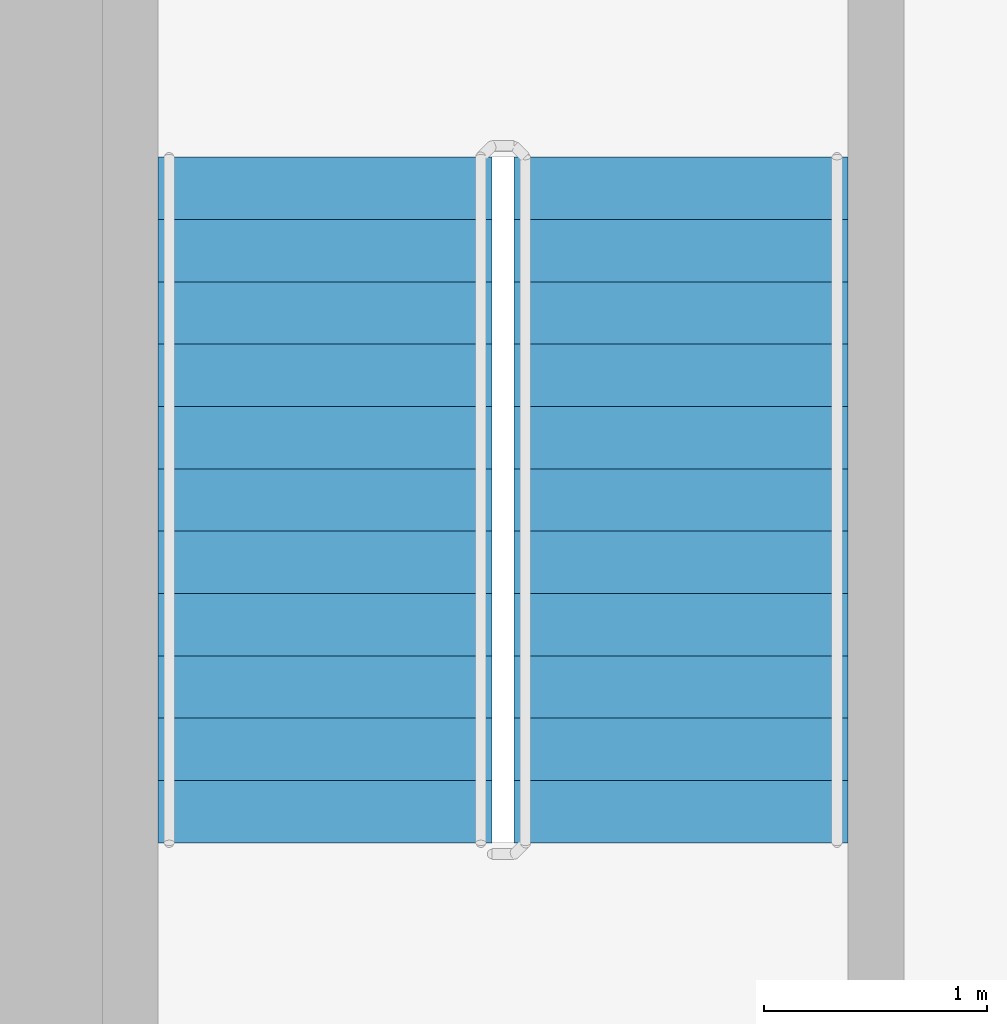
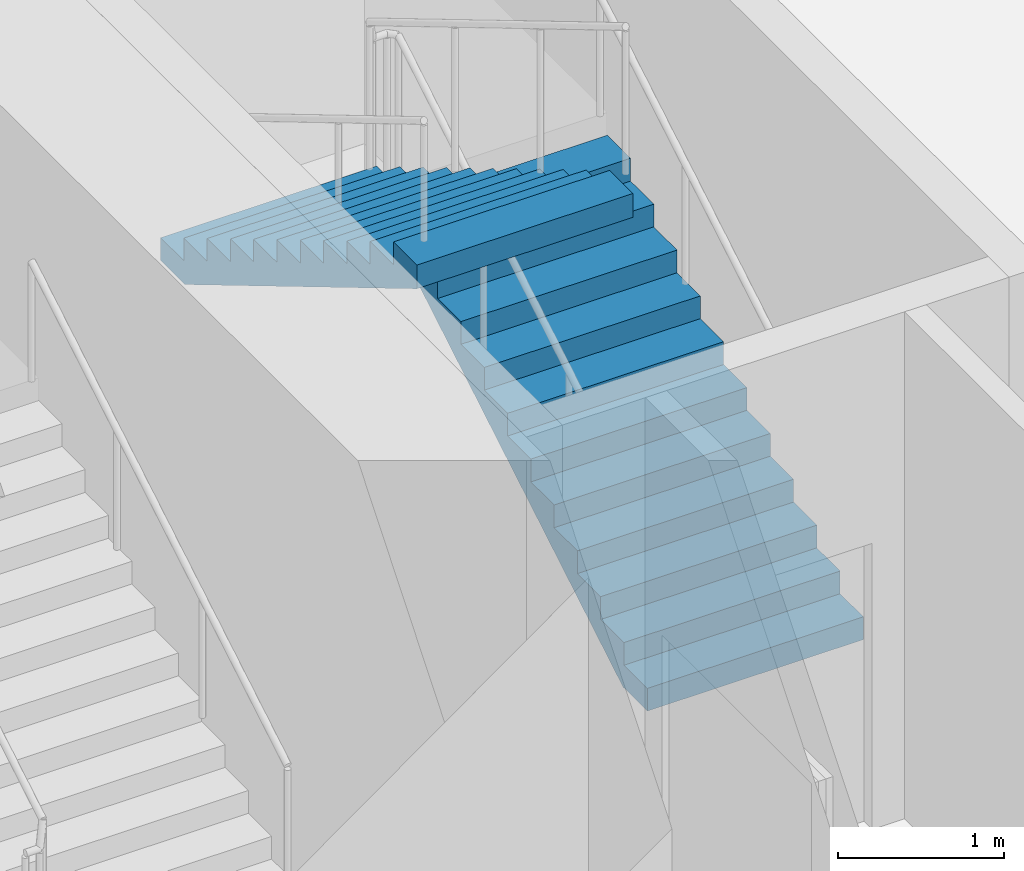
# One storey, part 16 of 25: 2 stair flights, 1 element without a shape of its own.
"""IFC4 building model written with IfcOpenShell, lengths in metres."""

from ifc_helpers import new_model, si_unit, direction, frame, origin, place, context, subcontext, project, spatial, triangles, source, transform, mapped, material, type_object, element, aggregate, save


model = new_model("IFC4")

# Units and contexts
model_context = context("Model", 3, precision=1e-05, world=origin(), true_north=direction((0.0, 1.0)))
body_context = subcontext(model_context, "Body", "Model", "MODEL_VIEW")
ifc_project = project(units=[si_unit("LENGTHUNIT", "METRE"), si_unit("AREAUNIT", "SQUARE_METRE"), si_unit("VOLUMEUNIT", "CUBIC_METRE"), si_unit("PLANEANGLEUNIT", "RADIAN"), si_unit("MASSUNIT", "GRAM", prefix="KILO")], contexts=[model_context])

# Site, building, storey
site_placement = place(None, origin())
site = spatial("IfcSite", under=ifc_project, at=site_placement, CompositionType="ELEMENT")
building_placement = place(site_placement, origin())
building = spatial("IfcBuilding", under=site, at=building_placement, Name="Kilnfold Tower and Market Hall", CompositionType="ELEMENT")
storey_placement = place(building_placement, frame((0.0, 0.0, 67.199951171875)))
storey = spatial("IfcBuildingStorey", under=building, at=storey_placement, Name="L15", CompositionType="ELEMENT", Elevation=67.199951171875)

# Stair, stair flights
ifc_material_1 = material(Name="Concrete C40/50", Category="concrete")
stair_type = type_object("IfcStairType", Name="CORE STAIR 1500", PredefinedType="HALF_TURN_STAIR", material=ifc_material_1)
stair_placement = place(storey_placement, origin())
stair = element("IfcStair", 1, at=stair_placement, inside=storey, type_object=stair_type, Name="L15 ST5", PredefinedType="HALF_TURN_STAIR")
ifc_material_2 = material(Name="Concrete C40/50", Category="concrete")
stair_flight_type = type_object("IfcStairFlightType", Name="CORE STAIR FLIGHT 1500", PredefinedType="STRAIGHT", material=ifc_material_2)
shared_shape = source(origin(), body_context, "Body", "Tessellation", [
    triangles([(0.0, 0.75, 0.0), (0.0, 0.65625, 0.0), (0.0, 0.5625, 0.0), (0.0, 0.46875, 0.0), (0.0, 0.375, 0.0), (0.0, 0.28125, 0.0), (0.0, 0.1875, 0.0), (0.0, 0.09375, 0.0), (0.0, 0.0, 0.0), (0.0, -0.09375, 0.0), (0.0, -0.1875, 0.0), (0.0, -0.28125, 0.0), (0.0, -0.375, 0.0), (0.0, -0.46875, 0.0), (0.0, -0.5625, 0.0), (0.0, -0.65625, 0.0), (0.0, -0.75, 0.0), (0.0, 0.75, 0.166748046875), (0.0, 0.65625, 0.166748046875), (0.0, 0.5625, 0.166748046875), (0.0, 0.46875, 0.166748046875), (0.0, 0.375, 0.166748046875), (0.0, 0.28125, 0.166748046875), (0.0, 0.1875, 0.166748046875), (0.0, 0.09375, 0.166748046875), (0.0, 0.0, 0.166748046875), (0.0, -0.09375, 0.166748046875), (0.0, -0.1875, 0.166748046875), (0.0, -0.28125, 0.166748046875), (0.0, -0.375, 0.166748046875), (0.0, -0.46875, 0.166748046875), (0.0, -0.5625, 0.166748046875), (0.0, -0.65625, 0.166748046875), (0.0, -0.75, 0.166748046875), (0.280029296875, 0.75, 0.166748046875), (0.280029296875, 0.65625, 0.166748046875), (0.280029296875, 0.5625, 0.166748046875), (0.280029296875, 0.46875, 0.166748046875), (0.280029296875, 0.375, 0.166748046875), (0.280029296875, 0.28125, 0.166748046875), (0.280029296875, 0.1875, 0.166748046875), (0.280029296875, 0.09375, 0.166748046875), (0.280029296875, 0.0, 0.166748046875), (0.280029296875, -0.09375, 0.166748046875), (0.280029296875, -0.1875, 0.166748046875), (0.280029296875, -0.28125, 0.166748046875), (0.280029296875, -0.375, 0.166748046875), (0.280029296875, -0.46875, 0.166748046875), (0.280029296875, -0.5625, 0.166748046875), (0.280029296875, -0.65625, 0.166748046875), (0.280029296875, -0.75, 0.166748046875), (0.280029296875, 0.75, 0.333251953125), (0.280029296875, 0.65625, 0.333251953125), (0.280029296875, 0.5625, 0.333251953125), (0.280029296875, 0.46875, 0.333251953125), (0.280029296875, 0.375, 0.333251953125), (0.280029296875, 0.28125, 0.333251953125), (0.280029296875, 0.1875, 0.333251953125), (0.280029296875, 0.09375, 0.333251953125), (0.280029296875, 0.0, 0.333251953125), (0.280029296875, -0.09375, 0.333251953125), (0.280029296875, -0.1875, 0.333251953125), (0.280029296875, -0.28125, 0.333251953125), (0.280029296875, -0.375, 0.333251953125), (0.280029296875, -0.46875, 0.333251953125), (0.280029296875, -0.5625, 0.333251953125), (0.280029296875, -0.65625, 0.333251953125), (0.280029296875, -0.75, 0.333251953125), (0.56005859375, 0.75, 0.333251953125), (0.56005859375, 0.65625, 0.333251953125), (0.56005859375, 0.5625, 0.333251953125), (0.56005859375, 0.46875, 0.333251953125), (0.56005859375, 0.375, 0.333251953125), (0.56005859375, 0.28125, 0.333251953125), (0.56005859375, 0.1875, 0.333251953125), (0.56005859375, 0.09375, 0.333251953125), (0.56005859375, 0.0, 0.333251953125), (0.56005859375, -0.09375, 0.333251953125), (0.56005859375, -0.1875, 0.333251953125), (0.56005859375, -0.28125, 0.333251953125), (0.56005859375, -0.375, 0.333251953125), (0.56005859375, -0.46875, 0.333251953125), (0.56005859375, -0.5625, 0.333251953125), (0.56005859375, -0.65625, 0.333251953125), (0.56005859375, -0.75, 0.333251953125), (0.56005859375, 0.75, 0.5), (0.56005859375, 0.65625, 0.5), (0.56005859375, 0.5625, 0.5), (0.56005859375, 0.46875, 0.5), (0.56005859375, 0.375, 0.5), (0.56005859375, 0.28125, 0.5), (0.56005859375, 0.1875, 0.5), (0.56005859375, 0.09375, 0.5), (0.56005859375, 0.0, 0.5), (0.56005859375, -0.09375, 0.5), (0.56005859375, -0.1875, 0.5), (0.56005859375, -0.28125, 0.5), (0.56005859375, -0.375, 0.5), (0.56005859375, -0.46875, 0.5), (0.56005859375, -0.5625, 0.5), (0.56005859375, -0.65625, 0.5), (0.56005859375, -0.75, 0.5), (0.840087890625, 0.75, 0.5), (0.840087890625, 0.65625, 0.5), (0.840087890625, 0.5625, 0.5), (0.840087890625, 0.46875, 0.5), (0.840087890625, 0.375, 0.5), (0.840087890625, 0.28125, 0.5), (0.840087890625, 0.1875, 0.5), (0.840087890625, 0.09375, 0.5), (0.840087890625, 0.0, 0.5), (0.840087890625, -0.09375, 0.5), (0.840087890625, -0.1875, 0.5), (0.840087890625, -0.28125, 0.5), (0.840087890625, -0.375, 0.5), (0.840087890625, -0.46875, 0.5), (0.840087890625, -0.5625, 0.5), (0.840087890625, -0.65625, 0.5), (0.840087890625, -0.75, 0.5), (0.840087890625, 0.75, 0.666748046875), (0.840087890625, 0.65625, 0.666748046875), (0.840087890625, 0.5625, 0.666748046875), (0.840087890625, 0.46875, 0.666748046875), (0.840087890625, 0.375, 0.666748046875), (0.840087890625, 0.28125, 0.666748046875), (0.840087890625, 0.1875, 0.666748046875), (0.840087890625, 0.09375, 0.666748046875), (0.840087890625, 0.0, 0.666748046875), (0.840087890625, -0.09375, 0.666748046875), (0.840087890625, -0.1875, 0.666748046875), (0.840087890625, -0.28125, 0.666748046875), (0.840087890625, -0.375, 0.666748046875), (0.840087890625, -0.46875, 0.666748046875), (0.840087890625, -0.5625, 0.666748046875), (0.840087890625, -0.65625, 0.666748046875), (0.840087890625, -0.75, 0.666748046875), (1.1201171875, 0.75, 0.666748046875), (1.1201171875, 0.65625, 0.666748046875), (1.1201171875, 0.5625, 0.666748046875), (1.1201171875, 0.46875, 0.666748046875), (1.1201171875, 0.375, 0.666748046875), (1.1201171875, 0.28125, 0.666748046875), (1.1201171875, 0.1875, 0.666748046875), (1.1201171875, 0.09375, 0.666748046875), (1.1201171875, 0.0, 0.666748046875), (1.1201171875, -0.09375, 0.666748046875), (1.1201171875, -0.1875, 0.666748046875), (1.1201171875, -0.28125, 0.666748046875), (1.1201171875, -0.375, 0.666748046875), (1.1201171875, -0.46875, 0.666748046875), (1.1201171875, -0.5625, 0.666748046875), (1.1201171875, -0.65625, 0.666748046875), (1.1201171875, -0.75, 0.666748046875), (1.1201171875, 0.75, 0.833251953125), (1.1201171875, 0.65625, 0.833251953125), (1.1201171875, 0.5625, 0.833251953125), (1.1201171875, 0.46875, 0.833251953125), (1.1201171875, 0.375, 0.833251953125), (1.1201171875, 0.28125, 0.833251953125), (1.1201171875, 0.1875, 0.833251953125), (1.1201171875, 0.09375, 0.833251953125), (1.1201171875, 0.0, 0.833251953125), (1.1201171875, -0.09375, 0.833251953125), (1.1201171875, -0.1875, 0.833251953125), (1.1201171875, -0.28125, 0.833251953125), (1.1201171875, -0.375, 0.833251953125), (1.1201171875, -0.46875, 0.833251953125), (1.1201171875, -0.5625, 0.833251953125), (1.1201171875, -0.65625, 0.833251953125), (1.1201171875, -0.75, 0.833251953125), (1.39990234375, 0.75, 0.833251953125), (1.39990234375, 0.65625, 0.833251953125), (1.39990234375, 0.5625, 0.833251953125), (1.39990234375, 0.46875, 0.833251953125), (1.39990234375, 0.375, 0.833251953125), (1.39990234375, 0.28125, 0.833251953125), (1.39990234375, 0.1875, 0.833251953125), (1.39990234375, 0.09375, 0.833251953125), (1.39990234375, 0.0, 0.833251953125), (1.39990234375, -0.09375, 0.833251953125), (1.39990234375, -0.1875, 0.833251953125), (1.39990234375, -0.28125, 0.833251953125), (1.39990234375, -0.375, 0.833251953125), (1.39990234375, -0.46875, 0.833251953125), (1.39990234375, -0.5625, 0.833251953125), (1.39990234375, -0.65625, 0.833251953125), (1.39990234375, -0.75, 0.833251953125), (1.39990234375, 0.75, 1.0), (1.39990234375, 0.65625, 1.0), (1.39990234375, 0.5625, 1.0), (1.39990234375, 0.46875, 1.0), (1.39990234375, 0.375, 1.0), (1.39990234375, 0.28125, 1.0), (1.39990234375, 0.1875, 1.0), (1.39990234375, 0.09375, 1.0), (1.39990234375, 0.0, 1.0), (1.39990234375, -0.09375, 1.0), (1.39990234375, -0.1875, 1.0), (1.39990234375, -0.28125, 1.0), (1.39990234375, -0.375, 1.0), (1.39990234375, -0.46875, 1.0), (1.39990234375, -0.5625, 1.0), (1.39990234375, -0.65625, 1.0), (1.39990234375, -0.75, 1.0), (1.679931640625, 0.75, 1.0), (1.679931640625, 0.65625, 1.0), (1.679931640625, 0.5625, 1.0), (1.679931640625, 0.46875, 1.0), (1.679931640625, 0.375, 1.0), (1.679931640625, 0.28125, 1.0), (1.679931640625, 0.1875, 1.0), (1.679931640625, 0.09375, 1.0), (1.679931640625, 0.0, 1.0), (1.679931640625, -0.09375, 1.0), (1.679931640625, -0.1875, 1.0), (1.679931640625, -0.28125, 1.0), (1.679931640625, -0.375, 1.0), (1.679931640625, -0.46875, 1.0), (1.679931640625, -0.5625, 1.0), (1.679931640625, -0.65625, 1.0), (1.679931640625, -0.75, 1.0), (1.679931640625, 0.75, 1.166748046875), (1.679931640625, 0.65625, 1.166748046875), (1.679931640625, 0.5625, 1.166748046875), (1.679931640625, 0.46875, 1.166748046875), (1.679931640625, 0.375, 1.166748046875), (1.679931640625, 0.28125, 1.166748046875), (1.679931640625, 0.1875, 1.166748046875), (1.679931640625, 0.09375, 1.166748046875), (1.679931640625, 0.0, 1.166748046875), (1.679931640625, -0.09375, 1.166748046875), (1.679931640625, -0.1875, 1.166748046875), (1.679931640625, -0.28125, 1.166748046875), (1.679931640625, -0.375, 1.166748046875), (1.679931640625, -0.46875, 1.166748046875), (1.679931640625, -0.5625, 1.166748046875), (1.679931640625, -0.65625, 1.166748046875), (1.679931640625, -0.75, 1.166748046875), (1.9599609375, 0.75, 1.166748046875), (1.9599609375, 0.65625, 1.166748046875), (1.9599609375, 0.5625, 1.166748046875), (1.9599609375, 0.46875, 1.166748046875), (1.9599609375, 0.375, 1.166748046875), (1.9599609375, 0.28125, 1.166748046875), (1.9599609375, 0.1875, 1.166748046875), (1.9599609375, 0.09375, 1.166748046875), (1.9599609375, 0.0, 1.166748046875), (1.9599609375, -0.09375, 1.166748046875), (1.9599609375, -0.1875, 1.166748046875), (1.9599609375, -0.28125, 1.166748046875), (1.9599609375, -0.375, 1.166748046875), (1.9599609375, -0.46875, 1.166748046875), (1.9599609375, -0.5625, 1.166748046875), (1.9599609375, -0.65625, 1.166748046875), (1.9599609375, -0.75, 1.166748046875), (1.9599609375, 0.75, 1.333251953125), (1.9599609375, 0.65625, 1.333251953125), (1.9599609375, 0.5625, 1.333251953125), (1.9599609375, 0.46875, 1.333251953125), (1.9599609375, 0.375, 1.333251953125), (1.9599609375, 0.28125, 1.333251953125), (1.9599609375, 0.1875, 1.333251953125), (1.9599609375, 0.09375, 1.333251953125), (1.9599609375, 0.0, 1.333251953125), (1.9599609375, -0.09375, 1.333251953125), (1.9599609375, -0.1875, 1.333251953125), (1.9599609375, -0.28125, 1.333251953125), (1.9599609375, -0.375, 1.333251953125), (1.9599609375, -0.46875, 1.333251953125), (1.9599609375, -0.5625, 1.333251953125), (1.9599609375, -0.65625, 1.333251953125), (1.9599609375, -0.75, 1.333251953125), (2.239990234375, 0.75, 1.333251953125), (2.239990234375, 0.65625, 1.333251953125), (2.239990234375, 0.5625, 1.333251953125), (2.239990234375, 0.46875, 1.333251953125), (2.239990234375, 0.375, 1.333251953125), (2.239990234375, 0.28125, 1.333251953125), (2.239990234375, 0.1875, 1.333251953125), (2.239990234375, 0.09375, 1.333251953125), (2.239990234375, 0.0, 1.333251953125), (2.239990234375, -0.09375, 1.333251953125), (2.239990234375, -0.1875, 1.333251953125), (2.239990234375, -0.28125, 1.333251953125), (2.239990234375, -0.375, 1.333251953125), (2.239990234375, -0.46875, 1.333251953125), (2.239990234375, -0.5625, 1.333251953125), (2.239990234375, -0.65625, 1.333251953125), (2.239990234375, -0.75, 1.333251953125), (2.239990234375, 0.75, 1.5), (2.239990234375, 0.65625, 1.5), (2.239990234375, 0.5625, 1.5), (2.239990234375, 0.46875, 1.5), (2.239990234375, 0.375, 1.5), (2.239990234375, 0.28125, 1.5), (2.239990234375, 0.1875, 1.5), (2.239990234375, 0.09375, 1.5), (2.239990234375, 0.0, 1.5), (2.239990234375, -0.09375, 1.5), (2.239990234375, -0.1875, 1.5), (2.239990234375, -0.28125, 1.5), (2.239990234375, -0.375, 1.5), (2.239990234375, -0.46875, 1.5), (2.239990234375, -0.5625, 1.5), (2.239990234375, -0.65625, 1.5), (2.239990234375, -0.75, 1.5), (2.52001953125, 0.75, 1.5), (2.52001953125, 0.65625, 1.5), (2.52001953125, 0.5625, 1.5), (2.52001953125, 0.46875, 1.5), (2.52001953125, 0.375, 1.5), (2.52001953125, 0.28125, 1.5), (2.52001953125, 0.1875, 1.5), (2.52001953125, 0.09375, 1.5), (2.52001953125, 0.0, 1.5), (2.52001953125, -0.09375, 1.5), (2.52001953125, -0.1875, 1.5), (2.52001953125, -0.28125, 1.5), (2.52001953125, -0.375, 1.5), (2.52001953125, -0.46875, 1.5), (2.52001953125, -0.5625, 1.5), (2.52001953125, -0.65625, 1.5), (2.52001953125, -0.75, 1.5), (2.52001953125, 0.75, 1.666748046875), (2.52001953125, 0.65625, 1.666748046875), (2.52001953125, 0.5625, 1.666748046875), (2.52001953125, 0.46875, 1.666748046875), (2.52001953125, 0.375, 1.666748046875), (2.52001953125, 0.28125, 1.666748046875), (2.52001953125, 0.1875, 1.666748046875), (2.52001953125, 0.09375, 1.666748046875), (2.52001953125, 0.0, 1.666748046875), (2.52001953125, -0.09375, 1.666748046875), (2.52001953125, -0.1875, 1.666748046875), (2.52001953125, -0.28125, 1.666748046875), (2.52001953125, -0.375, 1.666748046875), (2.52001953125, -0.46875, 1.666748046875), (2.52001953125, -0.5625, 1.666748046875), (2.52001953125, -0.65625, 1.666748046875), (2.52001953125, -0.75, 1.666748046875), (2.800048828125, 0.75, 1.666748046875), (2.800048828125, 0.65625, 1.666748046875), (2.800048828125, 0.5625, 1.666748046875), (2.800048828125, 0.46875, 1.666748046875), (2.800048828125, 0.375, 1.666748046875), (2.800048828125, 0.28125, 1.666748046875), (2.800048828125, 0.1875, 1.666748046875), (2.800048828125, 0.09375, 1.666748046875), (2.800048828125, 0.0, 1.666748046875), (2.800048828125, -0.09375, 1.666748046875), (2.800048828125, -0.1875, 1.666748046875), (2.800048828125, -0.28125, 1.666748046875), (2.800048828125, -0.375, 1.666748046875), (2.800048828125, -0.46875, 1.666748046875), (2.800048828125, -0.5625, 1.666748046875), (2.800048828125, -0.65625, 1.666748046875), (2.800048828125, -0.75, 1.666748046875), (2.800048828125, 0.75, 1.833251953125), (2.800048828125, 0.65625, 1.833251953125), (2.800048828125, 0.5625, 1.833251953125), (2.800048828125, 0.46875, 1.833251953125), (2.800048828125, 0.375, 1.833251953125), (2.800048828125, 0.28125, 1.833251953125), (2.800048828125, 0.1875, 1.833251953125), (2.800048828125, 0.09375, 1.833251953125), (2.800048828125, 0.0, 1.833251953125), (2.800048828125, -0.09375, 1.833251953125), (2.800048828125, -0.1875, 1.833251953125), (2.800048828125, -0.28125, 1.833251953125), (2.800048828125, -0.375, 1.833251953125), (2.800048828125, -0.46875, 1.833251953125), (2.800048828125, -0.5625, 1.833251953125), (2.800048828125, -0.65625, 1.833251953125), (2.800048828125, -0.75, 1.833251953125), (3.080078125, 0.75, 1.833251953125), (3.080078125, 0.65625, 1.833251953125), (3.080078125, 0.5625, 1.833251953125), (3.080078125, 0.46875, 1.833251953125), (3.080078125, 0.375, 1.833251953125), (3.080078125, 0.28125, 1.833251953125), (3.080078125, 0.1875, 1.833251953125), (3.080078125, 0.09375, 1.833251953125), (3.080078125, 0.0, 1.833251953125), (3.080078125, -0.09375, 1.833251953125), (3.080078125, -0.1875, 1.833251953125), (3.080078125, -0.28125, 1.833251953125), (3.080078125, -0.375, 1.833251953125), (3.080078125, -0.46875, 1.833251953125), (3.080078125, -0.5625, 1.833251953125), (3.080078125, -0.65625, 1.833251953125), (3.080078125, -0.75, 1.833251953125), (3.080078125, 0.75, 1.658935546875), (3.080078125, 0.65625, 1.658935546875), (3.080078125, 0.5625, 1.658935546875), (3.080078125, 0.46875, 1.658935546875), (3.080078125, 0.375, 1.658935546875), (3.080078125, 0.28125, 1.658935546875), (3.080078125, 0.1875, 1.658935546875), (3.080078125, 0.09375, 1.658935546875), (3.080078125, 0.0, 1.658935546875), (3.080078125, -0.09375, 1.658935546875), (3.080078125, -0.1875, 1.658935546875), (3.080078125, -0.28125, 1.658935546875), (3.080078125, -0.375, 1.658935546875), (3.080078125, -0.46875, 1.658935546875), (3.080078125, -0.5625, 1.658935546875), (3.080078125, -0.65625, 1.658935546875), (3.080078125, -0.75, 1.658935546875), (0.29296875, 0.75, 0.0), (0.29296875, 0.65625, 0.0), (0.29296875, 0.5625, 0.0), (0.29296875, 0.46875, 0.0), (0.29296875, 0.375, 0.0), (0.29296875, 0.28125, 0.0), (0.29296875, 0.1875, 0.0), (0.29296875, 0.09375, 0.0), (0.29296875, 0.0, 0.0), (0.29296875, -0.09375, 0.0), (0.29296875, -0.1875, 0.0), (0.29296875, -0.28125, 0.0), (0.29296875, -0.375, 0.0), (0.29296875, -0.46875, 0.0), (0.29296875, -0.5625, 0.0), (0.29296875, -0.65625, 0.0), (0.29296875, -0.75, 0.0)], [[1, 392, 409], [17, 425, 408], [392, 358, 375], [408, 391, 374], [392, 341, 358], [408, 374, 357], [392, 324, 341], [408, 357, 340], [392, 307, 324], [408, 340, 323], [307, 273, 290], [323, 306, 289], [392, 273, 307], [408, 323, 289], [273, 239, 256], [289, 272, 255], [392, 239, 273], [408, 289, 255], [239, 205, 222], [255, 238, 221], [392, 205, 239], [408, 255, 221], [205, 171, 188], [221, 204, 187], [392, 171, 205], [408, 221, 187], [171, 137, 154], [187, 170, 153], [392, 137, 171], [408, 187, 153], [137, 103, 120], [153, 136, 119], [392, 103, 137], [408, 153, 119], [103, 69, 86], [119, 102, 85], [392, 69, 103], [408, 119, 85], [1, 69, 392], [17, 408, 85], [69, 35, 52], [85, 68, 51], [1, 35, 69], [17, 85, 51], [35, 1, 18], [51, 34, 17], [1, 19, 18], [1, 2, 19], [2, 20, 19], [2, 3, 20], [3, 21, 20], [3, 4, 21], [4, 22, 21], [4, 5, 22], [5, 23, 22], [5, 6, 23], [6, 24, 23], [6, 7, 24], [7, 25, 24], [7, 8, 25], [8, 26, 25], [8, 9, 26], [9, 27, 26], [9, 10, 27], [10, 28, 27], [10, 11, 28], [11, 29, 28], [11, 12, 29], [12, 30, 29], [12, 13, 30], [13, 31, 30], [13, 14, 31], [14, 32, 31], [14, 15, 32], [15, 33, 32], [15, 16, 33], [16, 34, 33], [16, 17, 34], [18, 36, 35], [18, 19, 36], [19, 37, 36], [19, 20, 37], [20, 38, 37], [20, 21, 38], [21, 39, 38], [21, 22, 39], [22, 40, 39], [22, 23, 40], [23, 41, 40], [23, 24, 41], [24, 42, 41], [24, 25, 42], [25, 43, 42], [25, 26, 43], [26, 44, 43], [26, 27, 44], [27, 45, 44], [27, 28, 45], [28, 46, 45], [28, 29, 46], [29, 47, 46], [29, 30, 47], [30, 48, 47], [30, 31, 48], [31, 49, 48], [31, 32, 49], [32, 50, 49], [32, 33, 50], [33, 51, 50], [33, 34, 51], [35, 53, 52], [35, 36, 53], [36, 54, 53], [36, 37, 54], [37, 55, 54], [37, 38, 55], [38, 56, 55], [38, 39, 56], [39, 57, 56], [39, 40, 57], [40, 58, 57], [40, 41, 58], [41, 59, 58], [41, 42, 59], [42, 60, 59], [42, 43, 60], [43, 61, 60], [43, 44, 61], [44, 62, 61], [44, 45, 62], [45, 63, 62], [45, 46, 63], [46, 64, 63], [46, 47, 64], [47, 65, 64], [47, 48, 65], [48, 66, 65], [48, 49, 66], [49, 67, 66], [49, 50, 67], [50, 68, 67], [50, 51, 68], [52, 70, 69], [52, 53, 70], [53, 71, 70], [53, 54, 71], [54, 72, 71], [54, 55, 72], [55, 73, 72], [55, 56, 73], [56, 74, 73], [56, 57, 74], [57, 75, 74], [57, 58, 75], [58, 76, 75], [58, 59, 76], [59, 77, 76], [59, 60, 77], [60, 78, 77], [60, 61, 78], [61, 79, 78], [61, 62, 79], [62, 80, 79], [62, 63, 80], [63, 81, 80], [63, 64, 81], [64, 82, 81], [64, 65, 82], [65, 83, 82], [65, 66, 83], [66, 84, 83], [66, 67, 84], [67, 85, 84], [67, 68, 85], [69, 87, 86], [69, 70, 87], [70, 88, 87], [70, 71, 88], [71, 89, 88], [71, 72, 89], [72, 90, 89], [72, 73, 90], [73, 91, 90], [73, 74, 91], [74, 92, 91], [74, 75, 92], [75, 93, 92], [75, 76, 93], [76, 94, 93], [76, 77, 94], [77, 95, 94], [77, 78, 95], [78, 96, 95], [78, 79, 96], [79, 97, 96], [79, 80, 97], [80, 98, 97], [80, 81, 98], [81, 99, 98], [81, 82, 99], [82, 100, 99], [82, 83, 100], [83, 101, 100], [83, 84, 101], [84, 102, 101], [84, 85, 102], [86, 104, 103], [86, 87, 104], [87, 105, 104], [87, 88, 105], [88, 106, 105], [88, 89, 106], [89, 107, 106], [89, 90, 107], [90, 108, 107], [90, 91, 108], [91, 109, 108], [91, 92, 109], [92, 110, 109], [92, 93, 110], [93, 111, 110], [93, 94, 111], [94, 112, 111], [94, 95, 112], [95, 113, 112], [95, 96, 113], [96, 114, 113], [96, 97, 114], [97, 115, 114], [97, 98, 115], [98, 116, 115], [98, 99, 116], [99, 117, 116], [99, 100, 117], [100, 118, 117], [100, 101, 118], [101, 119, 118], [101, 102, 119], [103, 121, 120], [103, 104, 121], [104, 122, 121], [104, 105, 122], [105, 123, 122], [105, 106, 123], [106, 124, 123], [106, 107, 124], [107, 125, 124], [107, 108, 125], [108, 126, 125], [108, 109, 126], [109, 127, 126], [109, 110, 127], [110, 128, 127], [110, 111, 128], [111, 129, 128], [111, 112, 129], [112, 130, 129], [112, 113, 130], [113, 131, 130], [113, 114, 131], [114, 132, 131], [114, 115, 132], [115, 133, 132], [115, 116, 133], [116, 134, 133], [116, 117, 134], [117, 135, 134], [117, 118, 135], [118, 136, 135], [118, 119, 136], [120, 138, 137], [120, 121, 138], [121, 139, 138], [121, 122, 139], [122, 140, 139], [122, 123, 140], [123, 141, 140], [123, 124, 141], [124, 142, 141], [124, 125, 142], [125, 143, 142], [125, 126, 143], [126, 144, 143], [126, 127, 144], [127, 145, 144], [127, 128, 145], [128, 146, 145], [128, 129, 146], [129, 147, 146], [129, 130, 147], [130, 148, 147], [130, 131, 148], [131, 149, 148], [131, 132, 149], [132, 150, 149], [132, 133, 150], [133, 151, 150], [133, 134, 151], [134, 152, 151], [134, 135, 152], [135, 153, 152], [135, 136, 153], [137, 155, 154], [137, 138, 155], [138, 156, 155], [138, 139, 156], [139, 157, 156], [139, 140, 157], [140, 158, 157], [140, 141, 158], [141, 159, 158], [141, 142, 159], [142, 160, 159], [142, 143, 160], [143, 161, 160], [143, 144, 161], [144, 162, 161], [144, 145, 162], [145, 163, 162], [145, 146, 163], [146, 164, 163], [146, 147, 164], [147, 165, 164], [147, 148, 165], [148, 166, 165], [148, 149, 166], [149, 167, 166], [149, 150, 167], [150, 168, 167], [150, 151, 168], [151, 169, 168], [151, 152, 169], [152, 170, 169], [152, 153, 170], [154, 172, 171], [154, 155, 172], [155, 173, 172], [155, 156, 173], [156, 174, 173], [156, 157, 174], [157, 175, 174], [157, 158, 175], [158, 176, 175], [158, 159, 176], [159, 177, 176], [159, 160, 177], [160, 178, 177], [160, 161, 178], [161, 179, 178], [161, 162, 179], [162, 180, 179], [162, 163, 180], [163, 181, 180], [163, 164, 181], [164, 182, 181], [164, 165, 182], [165, 183, 182], [165, 166, 183], [166, 184, 183], [166, 167, 184], [167, 185, 184], [167, 168, 185], [168, 186, 185], [168, 169, 186], [169, 187, 186], [169, 170, 187], [171, 189, 188], [171, 172, 189], [172, 190, 189], [172, 173, 190], [173, 191, 190], [173, 174, 191], [174, 192, 191], [174, 175, 192], [175, 193, 192], [175, 176, 193], [176, 194, 193], [176, 177, 194], [177, 195, 194], [177, 178, 195], [178, 196, 195], [178, 179, 196], [179, 197, 196], [179, 180, 197], [180, 198, 197], [180, 181, 198], [181, 199, 198], [181, 182, 199], [182, 200, 199], [182, 183, 200], [183, 201, 200], [183, 184, 201], [184, 202, 201], [184, 185, 202], [185, 203, 202], [185, 186, 203], [186, 204, 203], [186, 187, 204], [188, 206, 205], [188, 189, 206], [189, 207, 206], [189, 190, 207], [190, 208, 207], [190, 191, 208], [191, 209, 208], [191, 192, 209], [192, 210, 209], [192, 193, 210], [193, 211, 210], [193, 194, 211], [194, 212, 211], [194, 195, 212], [195, 213, 212], [195, 196, 213], [196, 214, 213], [196, 197, 214], [197, 215, 214], [197, 198, 215], [198, 216, 215], [198, 199, 216], [199, 217, 216], [199, 200, 217], [200, 218, 217], [200, 201, 218], [201, 219, 218], [201, 202, 219], [202, 220, 219], [202, 203, 220], [203, 221, 220], [203, 204, 221], [205, 223, 222], [205, 206, 223], [206, 224, 223], [206, 207, 224], [207, 225, 224], [207, 208, 225], [208, 226, 225], [208, 209, 226], [209, 227, 226], [209, 210, 227], [210, 228, 227], [210, 211, 228], [211, 229, 228], [211, 212, 229], [212, 230, 229], [212, 213, 230], [213, 231, 230], [213, 214, 231], [214, 232, 231], [214, 215, 232], [215, 233, 232], [215, 216, 233], [216, 234, 233], [216, 217, 234], [217, 235, 234], [217, 218, 235], [218, 236, 235], [218, 219, 236], [219, 237, 236], [219, 220, 237], [220, 238, 237], [220, 221, 238], [222, 240, 239], [222, 223, 240], [223, 241, 240], [223, 224, 241], [224, 242, 241], [224, 225, 242], [225, 243, 242], [225, 226, 243], [226, 244, 243], [226, 227, 244], [227, 245, 244], [227, 228, 245], [228, 246, 245], [228, 229, 246], [229, 247, 246], [229, 230, 247], [230, 248, 247], [230, 231, 248], [231, 249, 248], [231, 232, 249], [232, 250, 249], [232, 233, 250], [233, 251, 250], [233, 234, 251], [234, 252, 251], [234, 235, 252], [235, 253, 252], [235, 236, 253], [236, 254, 253], [236, 237, 254], [237, 255, 254], [237, 238, 255], [239, 257, 256], [239, 240, 257], [240, 258, 257], [240, 241, 258], [241, 259, 258], [241, 242, 259], [242, 260, 259], [242, 243, 260], [243, 261, 260], [243, 244, 261], [244, 262, 261], [244, 245, 262], [245, 263, 262], [245, 246, 263], [246, 264, 263], [246, 247, 264], [247, 265, 264], [247, 248, 265], [248, 266, 265], [248, 249, 266], [249, 267, 266], [249, 250, 267], [250, 268, 267], [250, 251, 268], [251, 269, 268], [251, 252, 269], [252, 270, 269], [252, 253, 270], [253, 271, 270], [253, 254, 271], [254, 272, 271], [254, 255, 272], [256, 274, 273], [256, 257, 274], [257, 275, 274], [257, 258, 275], [258, 276, 275], [258, 259, 276], [259, 277, 276], [259, 260, 277], [260, 278, 277], [260, 261, 278], [261, 279, 278], [261, 262, 279], [262, 280, 279], [262, 263, 280], [263, 281, 280], [263, 264, 281], [264, 282, 281], [264, 265, 282], [265, 283, 282], [265, 266, 283], [266, 284, 283], [266, 267, 284], [267, 285, 284], [267, 268, 285], [268, 286, 285], [268, 269, 286], [269, 287, 286], [269, 270, 287], [270, 288, 287], [270, 271, 288], [271, 289, 288], [271, 272, 289], [273, 291, 290], [273, 274, 291], [274, 292, 291], [274, 275, 292], [275, 293, 292], [275, 276, 293], [276, 294, 293], [276, 277, 294], [277, 295, 294], [277, 278, 295], [278, 296, 295], [278, 279, 296], [279, 297, 296], [279, 280, 297], [280, 298, 297], [280, 281, 298], [281, 299, 298], [281, 282, 299], [282, 300, 299], [282, 283, 300], [283, 301, 300], [283, 284, 301], [284, 302, 301], [284, 285, 302], [285, 303, 302], [285, 286, 303], [286, 304, 303], [286, 287, 304], [287, 305, 304], [287, 288, 305], [288, 306, 305], [288, 289, 306], [290, 308, 307], [290, 291, 308], [291, 309, 308], [291, 292, 309], [292, 310, 309], [292, 293, 310], [293, 311, 310], [293, 294, 311], [294, 312, 311], [294, 295, 312], [295, 313, 312], [295, 296, 313], [296, 314, 313], [296, 297, 314], [297, 315, 314], [297, 298, 315], [298, 316, 315], [298, 299, 316], [299, 317, 316], [299, 300, 317], [300, 318, 317], [300, 301, 318], [301, 319, 318], [301, 302, 319], [302, 320, 319], [302, 303, 320], [303, 321, 320], [303, 304, 321], [304, 322, 321], [304, 305, 322], [305, 323, 322], [305, 306, 323], [307, 325, 324], [307, 308, 325], [308, 326, 325], [308, 309, 326], [309, 327, 326], [309, 310, 327], [310, 328, 327], [310, 311, 328], [311, 329, 328], [311, 312, 329], [312, 330, 329], [312, 313, 330], [313, 331, 330], [313, 314, 331], [314, 332, 331], [314, 315, 332], [315, 333, 332], [315, 316, 333], [316, 334, 333], [316, 317, 334], [317, 335, 334], [317, 318, 335], [318, 336, 335], [318, 319, 336], [319, 337, 336], [319, 320, 337], [320, 338, 337], [320, 321, 338], [321, 339, 338], [321, 322, 339], [322, 340, 339], [322, 323, 340], [324, 342, 341], [324, 325, 342], [325, 343, 342], [325, 326, 343], [326, 344, 343], [326, 327, 344], [327, 345, 344], [327, 328, 345], [328, 346, 345], [328, 329, 346], [329, 347, 346], [329, 330, 347], [330, 348, 347], [330, 331, 348], [331, 349, 348], [331, 332, 349], [332, 350, 349], [332, 333, 350], [333, 351, 350], [333, 334, 351], [334, 352, 351], [334, 335, 352], [335, 353, 352], [335, 336, 353], [336, 354, 353], [336, 337, 354], [337, 355, 354], [337, 338, 355], [338, 356, 355], [338, 339, 356], [339, 357, 356], [339, 340, 357], [341, 359, 358], [341, 342, 359], [342, 360, 359], [342, 343, 360], [343, 361, 360], [343, 344, 361], [344, 362, 361], [344, 345, 362], [345, 363, 362], [345, 346, 363], [346, 364, 363], [346, 347, 364], [347, 365, 364], [347, 348, 365], [348, 366, 365], [348, 349, 366], [349, 367, 366], [349, 350, 367], [350, 368, 367], [350, 351, 368], [351, 369, 368], [351, 352, 369], [352, 370, 369], [352, 353, 370], [353, 371, 370], [353, 354, 371], [354, 372, 371], [354, 355, 372], [355, 373, 372], [355, 356, 373], [356, 374, 373], [356, 357, 374], [358, 376, 375], [358, 359, 376], [359, 377, 376], [359, 360, 377], [360, 378, 377], [360, 361, 378], [361, 379, 378], [361, 362, 379], [362, 380, 379], [362, 363, 380], [363, 381, 380], [363, 364, 381], [364, 382, 381], [364, 365, 382], [365, 383, 382], [365, 366, 383], [366, 384, 383], [366, 367, 384], [367, 385, 384], [367, 368, 385], [368, 386, 385], [368, 369, 386], [369, 387, 386], [369, 370, 387], [370, 388, 387], [370, 371, 388], [371, 389, 388], [371, 372, 389], [372, 390, 389], [372, 373, 390], [373, 391, 390], [373, 374, 391], [375, 393, 392], [375, 376, 393], [376, 394, 393], [376, 377, 394], [377, 395, 394], [377, 378, 395], [378, 396, 395], [378, 379, 396], [379, 397, 396], [379, 380, 397], [380, 398, 397], [380, 381, 398], [381, 399, 398], [381, 382, 399], [382, 400, 399], [382, 383, 400], [383, 401, 400], [383, 384, 401], [384, 402, 401], [384, 385, 402], [385, 403, 402], [385, 386, 403], [386, 404, 403], [386, 387, 404], [387, 405, 404], [387, 388, 405], [388, 406, 405], [388, 389, 406], [389, 407, 406], [389, 390, 407], [390, 408, 407], [390, 391, 408], [392, 410, 409], [392, 393, 410], [393, 411, 410], [393, 394, 411], [394, 412, 411], [394, 395, 412], [395, 413, 412], [395, 396, 413], [396, 414, 413], [396, 397, 414], [397, 415, 414], [397, 398, 415], [398, 416, 415], [398, 399, 416], [399, 417, 416], [399, 400, 417], [400, 418, 417], [400, 401, 418], [401, 419, 418], [401, 402, 419], [402, 420, 419], [402, 403, 420], [403, 421, 420], [403, 404, 421], [404, 422, 421], [404, 405, 422], [405, 423, 422], [405, 406, 423], [406, 424, 423], [406, 407, 424], [407, 425, 424], [407, 408, 425], [409, 2, 1], [409, 410, 2], [410, 3, 2], [410, 411, 3], [411, 4, 3], [411, 412, 4], [412, 5, 4], [412, 413, 5], [413, 6, 5], [413, 414, 6], [414, 7, 6], [414, 415, 7], [415, 8, 7], [415, 416, 8], [416, 9, 8], [416, 417, 9], [417, 10, 9], [417, 418, 10], [418, 11, 10], [418, 419, 11], [419, 12, 11], [419, 420, 12], [420, 13, 12], [420, 421, 13], [421, 14, 13], [421, 422, 14], [422, 15, 14], [422, 423, 15], [423, 16, 15], [423, 424, 16], [424, 17, 16], [424, 425, 17]], closed=True),
])
stair_flight_1_placement = place(storey_placement, frame((20.699951171875, 11.5, 0.0), z_axis=(0.0, 0.0, 1.0), x_axis=(0.0, 1.0, 0.0)))
stair_flight_1 = element("IfcStairFlight", 2, at=stair_flight_1_placement, type_object=stair_flight_type, Name="ST5 flight 1", NumberOfRisers=12, NumberOfTreads=11, PredefinedType="STRAIGHT", RiserHeight=0.166666667, TreadLength=0.28, context=body_context, shape_type="MappedRepresentation", body=[
    mapped(shared_shape, transform((0.0, 0.0, 0.0))),
])
stair_flight_2_placement = place(storey_placement, frame((19.10009765625, 14.580078125, 2.0), z_axis=(0.0, 0.0, 1.0), x_axis=(0.0, -1.0, 0.0)))
stair_flight_2 = element("IfcStairFlight", 3, at=stair_flight_2_placement, type_object=stair_flight_type, Name="ST5 flight 2", NumberOfRisers=12, NumberOfTreads=11, PredefinedType="STRAIGHT", RiserHeight=0.166666667, TreadLength=0.28, context=body_context, shape_type="MappedRepresentation", body=[
    mapped(shared_shape, transform((0.0, 0.0, 0.0))),
])
aggregate(stair, [stair_flight_1, stair_flight_2])

save(model, "model.ifc")
